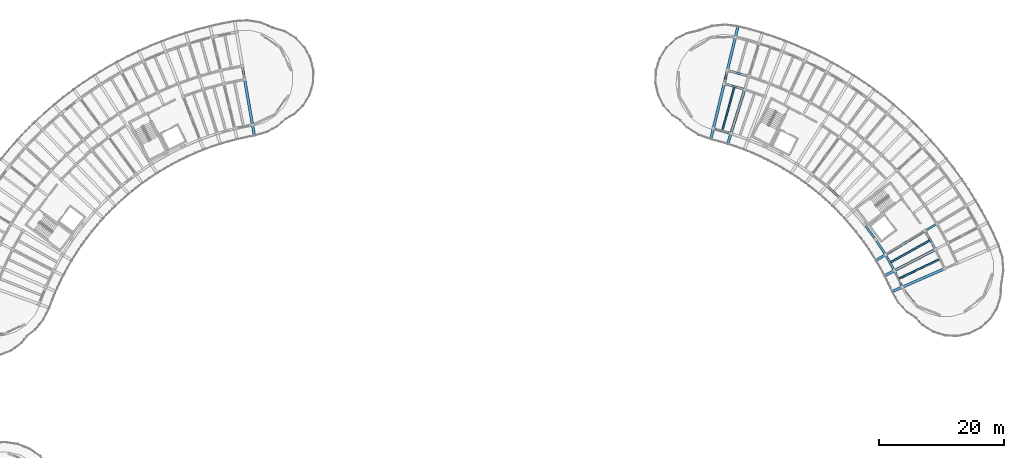
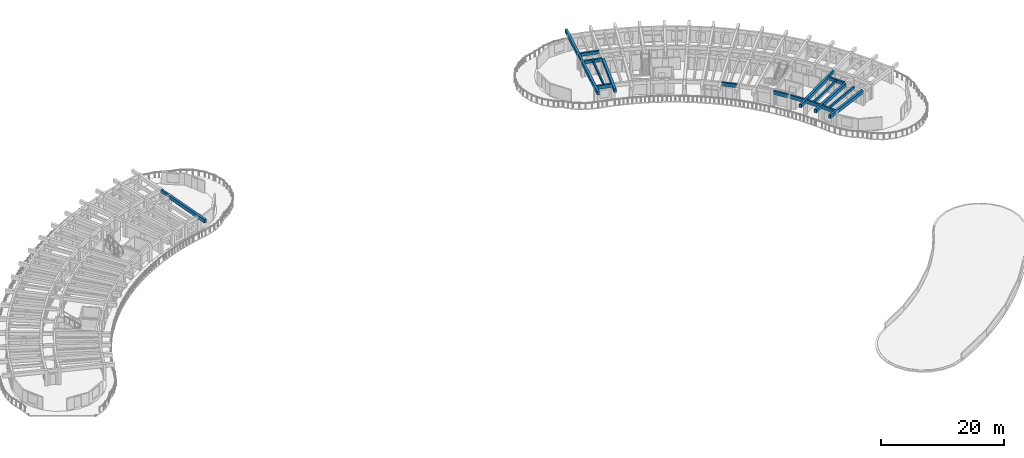
# One storey, part 19 of 62: 22 beams.
"""IFC4 building model written with IfcOpenShell, lengths in metres."""

from ifc_helpers import new_model, si_unit, direction, frame, origin, origin_2d, place, context, subcontext, project, spatial, rectangle, extrude, material, material_profile, profile_set, type_object, element, save


model = new_model("IFC4")

# Units and contexts
model_context = context("Model", 3, precision=1e-05, world=origin(), true_north=direction((0.0, 1.0)))
body_context = subcontext(model_context, "Body", "Model", "MODEL_VIEW")
ifc_project = project(units=[si_unit("LENGTHUNIT", "METRE"), si_unit("AREAUNIT", "SQUARE_METRE"), si_unit("VOLUMEUNIT", "CUBIC_METRE"), si_unit("PLANEANGLEUNIT", "RADIAN"), si_unit("MASSUNIT", "GRAM", prefix="KILO")], contexts=[model_context])

# Site, building, storey
site_placement = place(None, origin())
site = spatial("IfcSite", under=ifc_project, at=site_placement, CompositionType="ELEMENT")
building_placement = place(site_placement, origin())
building = spatial("IfcBuilding", under=site, at=building_placement, Name="Tanwirah Colonnade Gardens", CompositionType="ELEMENT")
storey_placement = place(building_placement, frame((0.0, 0.0, 32.360107421875)))
storey = spatial("IfcBuildingStorey", under=building, at=storey_placement, Name="L09", CompositionType="ELEMENT", Elevation=32.360107421875)

# Beams
ifc_material_1 = material(Name="Precast concrete C40/50", Category="concrete")
ifc_material_profile_1 = material_profile(ifc_material_1, rectangle(XDim=0.320068359375, YDim=0.52001953125, at=origin_2d()), Name="PC-BM 320x520")
ifc_profile_set_1 = profile_set([ifc_material_profile_1], Name="Precast concrete C40/50")
beam_type_1 = type_object("IfcBeamType", Name="BM-PC320", PredefinedType="BEAM", material=ifc_profile_set_1)
beam_1_placement = place(storey_placement, frame((165.520751953125, 87.068359375, 2.85498046875), z_axis=(0.856174920318, 0.516686080534, 0.0), x_axis=(-0.516686080534, 0.856174920318, 0.0)))
element("IfcBeam", 1, at=beam_1_placement, inside=storey, type_object=beam_type_1, Name="Block B L09 Corridor Tie Beam 4", PredefinedType="BEAM", context=body_context, shape_type="SweptSolid", body=[
    extrude(rectangle(XDim=0.320068359375, YDim=0.52001953125, at=origin_2d()), origin(), (0.0, 0.0, 1.0), 1.89990234375),
])
beam_2_placement = place(storey_placement, frame((133.188232421875, 110.75146484375, 2.85498046875), z_axis=(0.234364199778, 0.972148868159, 0.0), x_axis=(-0.972148868159, 0.234364199778, 0.0)))
element("IfcBeam", 2, at=beam_2_placement, inside=storey, type_object=beam_type_1, Name="Block B L09 Corridor Tie Beam 16", PredefinedType="BEAM", context=body_context, shape_type="SweptSolid", body=[
    extrude(rectangle(XDim=0.320068359375, YDim=0.52001953125, at=origin_2d()), origin(), (0.0, 0.0, 1.0), 1.900146484375),
])
ifc_material_profile_2 = material_profile(ifc_material_1, rectangle(XDim=0.35009765625, YDim=0.550048828125, at=origin_2d()), Name="PC-BM 350x550")
ifc_profile_set_2 = profile_set([ifc_material_profile_2], Name="Precast concrete C40/50")
beam_type_2 = type_object("IfcBeamType", Name="BM-PC350A", PredefinedType="BEAM", material=ifc_profile_set_2)
beam_3_placement = place(storey_placement, frame((56.1689453125, 111.444580078125, 2.83984375), z_axis=(-0.169855285462, 0.985469016256, 0.0), x_axis=(-0.985469016256, -0.169855285462, 0.0)))
element("IfcBeam", 3, at=beam_3_placement, inside=storey, type_object=beam_type_2, Name="Block A L09 Corridor Tie Beam 1", PredefinedType="BEAM", context=body_context, shape_type="SweptSolid", body=[
    extrude(rectangle(XDim=0.35009765625, YDim=0.550048828125, at=origin_2d()), origin(), (0.0, 0.0, 1.0), 1.900146484375),
])
ifc_material_profile_3 = material_profile(ifc_material_1, rectangle(XDim=0.35009765625, YDim=0.60009765625, at=origin_2d()), Name="PC-BM 350x600")
ifc_profile_set_3 = profile_set([ifc_material_profile_3], Name="Precast concrete C40/50")
beam_type_3 = type_object("IfcBeamType", Name="BM-PC350B", PredefinedType="BEAM", material=ifc_profile_set_3)
for number, where, z_axis, x_axis, name in (
    (4, (166.98779296875, 84.138671875, 2.81494140625), (-0.488200372352, 0.872731571811, 0.0), (-0.872731571811, -0.488200372352, 0.0), "Block B L09 Circumferential Beam 3-R1"),
    (5, (136.302978515625, 109.7353515625, 2.81494140625), (-0.963889412906, 0.266302834548, 0.0), (-0.266302834548, -0.963889412906, 0.0), "Block B L09 Circumferential Beam 15-R1"),
):
    element("IfcBeam", number, at=place(storey_placement, frame(where, z_axis=z_axis, x_axis=x_axis)), inside=storey, type_object=beam_type_3, Name=name, PredefinedType="BEAM", context=body_context, shape_type="SweptSolid", body=[
        extrude(rectangle(XDim=0.35009765625, YDim=0.60009765625, at=origin_2d()), origin(), (0.0, 0.0, 1.0), 3.117919921875),
    ])
beam_4_placement = place(storey_placement, frame((136.95849609375, 111.83544921875, 2.81494140625), z_axis=(-0.9638953302, 0.266281415833, 0.0), x_axis=(-0.266281415833, -0.9638953302, 0.0)))
element("IfcBeam", 6, at=beam_4_placement, inside=storey, type_object=beam_type_3, Name="Block B L09 Circumferential Beam 15-R2", PredefinedType="BEAM", context=body_context, shape_type="SweptSolid", body=[
    extrude(rectangle(XDim=0.35009765625, YDim=0.60009765625, at=origin_2d()), origin(), (0.0, 0.0, 1.0), 3.26318359375),
])
ifc_material_2 = material(Name="Precast concrete C45/55", Category="concrete")
ifc_material_profile_4 = material_profile(ifc_material_2, rectangle(XDim=0.419921875, YDim=0.679931640625, at=origin_2d()), Name="PC-BM 420x680")
ifc_profile_set_4 = profile_set([ifc_material_profile_4], Name="Precast concrete C45/55")
beam_type_4 = type_object("IfcBeamType", Name="BM-PC420", PredefinedType="BEAM", material=ifc_profile_set_4)
beam_5_placement = place(storey_placement, frame((56.219970703125, 111.14892578125, 2.77490234375), z_axis=(0.169837490725, -0.985472083189, 0.0), x_axis=(0.985472083189, 0.169837490725, 0.0)))
element("IfcBeam", 7, at=beam_5_placement, inside=storey, type_object=beam_type_4, Name="Block A L09 Inner Radial Precast Girder 1", PredefinedType="BEAM", context=body_context, shape_type="SweptSolid", body=[
    extrude(rectangle(XDim=0.419921875, YDim=0.679931640625, at=origin_2d()), origin(), (0.0, 0.0, 1.0), 8.949951171875),
])
beam_6_placement = place(storey_placement, frame((168.39208984375, 80.861328125, 2.77490234375), z_axis=(-0.916669317869, -0.399646545934, 0.0), x_axis=(0.399646545934, -0.916669317869, 0.0)))
element("IfcBeam", 8, at=beam_6_placement, inside=storey, type_object=beam_type_4, Name="Block B L09 Inner Radial Precast Girder 2", PredefinedType="BEAM", context=body_context, shape_type="SweptSolid", body=[
    extrude(rectangle(XDim=0.419921875, YDim=0.679931640625, at=origin_2d()), origin(), (0.0, 0.0, 1.0), 8.9501953125),
])
beam_7_placement = place(storey_placement, frame((166.927734375, 83.93896484375, 2.77490234375), z_axis=(-0.888345427876, -0.459175784175, 0.0), x_axis=(0.459175784175, -0.888345427876, 0.0)))
element("IfcBeam", 9, at=beam_7_placement, inside=storey, type_object=beam_type_4, Name="Block B L09 Inner Radial Precast Girder 3", PredefinedType="BEAM", context=body_context, shape_type="SweptSolid", body=[
    extrude(rectangle(XDim=0.419921875, YDim=0.679931640625, at=origin_2d()), origin(), (0.0, 0.0, 1.0), 8.949951171875),
])
for number, where, z_axis, x_axis, name in (
    (10, (165.263916015625, 86.913330078125, 2.77490234375), (-0.856168728297, -0.516696340887, 0.0), (0.516696340887, -0.856168728297, 0.0), "Block B L09 Inner Radial Precast Girder 4"),
    (11, (136.403076171875, 109.55224609375, 2.77490234375), (-0.29792861283, -0.9545881529, 0.0), (0.9545881529, -0.29792861283, 0.0), "Block B L09 Inner Radial Precast Girder 15"),
):
    element("IfcBeam", number, at=place(storey_placement, frame(where, z_axis=z_axis, x_axis=x_axis)), inside=storey, type_object=beam_type_4, Name=name, PredefinedType="BEAM", context=body_context, shape_type="SweptSolid", body=[
        extrude(rectangle(XDim=0.419921875, YDim=0.679931640625, at=origin_2d()), origin(), (0.0, 0.0, 1.0), 8.9501953125),
    ])
beam_8_placement = place(storey_placement, frame((133.117919921875, 110.459716796875, 2.77490234375), z_axis=(-0.234401428133, -0.972139892448, 0.0), x_axis=(0.972139892448, -0.234401428133, 0.0)))
element("IfcBeam", 12, at=beam_8_placement, inside=storey, type_object=beam_type_4, Name="Block B L09 Inner Radial Precast Girder 16", PredefinedType="BEAM", context=body_context, shape_type="SweptSolid", body=[
    extrude(rectangle(XDim=0.419921875, YDim=0.679931640625, at=origin_2d()), origin(), (0.0, 0.0, 1.0), 8.949951171875),
])
beam_9_placement = place(storey_placement, frame((133.703857421875, 112.89013671875, 2.77490234375), z_axis=(0.234378734126, 0.972145364125, 0.0), x_axis=(-0.972145364125, 0.234378734126, 0.0)))
element("IfcBeam", 13, at=beam_9_placement, inside=storey, type_object=beam_type_4, Name="Block B L09 Outer Radial Precast Girder 16", PredefinedType="BEAM", context=body_context, shape_type="SweptSolid", body=[
    extrude(rectangle(XDim=0.419921875, YDim=0.679931640625, at=origin_2d()), origin(), (0.0, 0.0, 1.0), 7.0498046875),
])
ifc_material_profile_5 = material_profile(ifc_material_1, rectangle(XDim=0.260009765625, YDim=0.4599609375, at=origin_2d()), Name="PC-JST 260x460")
ifc_profile_set_5 = profile_set([ifc_material_profile_5], Name="Precast concrete C40/50")
beam_type_5 = type_object("IfcBeamType", Name="JST-PC260", PredefinedType="JOIST", material=ifc_profile_set_5)
for number, where, z_axis, x_axis, name in (
    (14, (161.246826171875, 79.348876953125, 2.885009765625), (0.903005429363, 0.429629136048, 0.0), (-0.429629136048, 0.903005429363, 0.0), "Block B L09 Inner Precast Floor Joist 2"),
    (15, (159.897705078125, 81.958984375, 2.885009765625), (0.872726875563, 0.488208767506, 0.0), (-0.488208767506, 0.872726875563, 0.0), "Block B L09 Inner Precast Floor Joist 3"),
):
    element("IfcBeam", number, at=place(storey_placement, frame(where, z_axis=z_axis, x_axis=x_axis)), inside=storey, type_object=beam_type_5, Name=name, PredefinedType="JOIST", context=body_context, shape_type="SweptSolid", body=[
        extrude(rectangle(XDim=0.260009765625, YDim=0.4599609375, at=origin_2d()), origin(), (0.0, 0.0, 1.0), 7.16015625),
    ])
beam_10_placement = place(storey_placement, frame((132.869140625, 103.16064453125, 2.885009765625), z_axis=(0.266307034535, 0.963888252526, 0.0), x_axis=(-0.963888252526, 0.266307034535, 0.0)))
element("IfcBeam", 16, at=beam_10_placement, inside=storey, type_object=beam_type_5, Name="Block B L09 Inner Precast Floor Joist 15", PredefinedType="JOIST", context=body_context, shape_type="SweptSolid", body=[
    extrude(rectangle(XDim=0.260009765625, YDim=0.4599609375, at=origin_2d()), origin(), (0.0, 0.0, 1.0), 7.159912109375),
])
ifc_material_profile_6 = material_profile(ifc_material_1, rectangle(XDim=0.3349609375, YDim=0.695068359375, at=origin_2d()), Name="PC-SP 335x695")
ifc_profile_set_6 = profile_set([ifc_material_profile_6], Name="Precast concrete C40/50")
beam_type_6 = type_object("IfcBeamType", Name="SP-PC300", PredefinedType="SPANDREL", material=ifc_profile_set_6)
beam_11_placement = place(storey_placement, frame((161.681640625, 78.099365234375, 2.767333984375), z_axis=(-0.42964173036, 0.902999437172, 0.0), x_axis=(-0.902999437172, -0.42964173036, 0.0)))
element("IfcBeam", 17, at=beam_11_placement, inside=storey, type_object=beam_type_6, Name="Block B L09 Circumferential Beam 2-R0", PredefinedType="SPANDREL", context=body_context, shape_type="SweptSolid", body=[
    extrude(rectangle(XDim=0.3349609375, YDim=0.695068359375, at=origin_2d()), origin(), (0.0, 0.0, 1.0), 2.63037109375),
])
beam_12_placement = place(storey_placement, frame((160.413818359375, 80.740966796875, 2.767333984375), z_axis=(-0.488170837957, 0.872748092503, 0.0), x_axis=(-0.872748092503, -0.488170837957, 0.0)))
element("IfcBeam", 18, at=beam_12_placement, inside=storey, type_object=beam_type_6, Name="Block B L09 Circumferential Beam 3-R0", PredefinedType="SPANDREL", context=body_context, shape_type="SweptSolid", body=[
    extrude(rectangle(XDim=0.3349609375, YDim=0.695068359375, at=origin_2d()), origin(), (0.0, 0.0, 1.0), 2.630126953125),
])
for number, where, z_axis, x_axis, name in (
    (19, (158.974853515625, 83.29296875, 2.767333984375), (-0.544570677829, 0.838714955661, 0.0), (-0.838714955661, -0.544570677829, 0.0), "Block B L09 Circumferential Beam 4-R0"),
    (20, (157.370849609375, 85.744873046875, 2.767333984375), (-0.598662613551, 0.80100129534, 0.0), (-0.80100129534, -0.598662613551, 0.0), "Block B L09 Circumferential Beam 5-R0"),
    (21, (151.6416015625, 92.394287109375, 2.767333984375), (-0.744400790288, 0.667733077972, 0.0), (-0.667733077972, -0.744400790288, 0.0), "Block B L09 Circumferential Beam 8-R0"),
):
    element("IfcBeam", number, at=place(storey_placement, frame(where, z_axis=z_axis, x_axis=x_axis)), inside=storey, type_object=beam_type_6, Name=name, PredefinedType="SPANDREL", context=body_context, shape_type="SweptSolid", body=[
        extrude(rectangle(XDim=0.3349609375, YDim=0.695068359375, at=origin_2d()), origin(), (0.0, 0.0, 1.0), 2.63037109375),
    ])
beam_13_placement = place(storey_placement, frame((134.098388671875, 102.67138671875, 2.767333984375), z_axis=(-0.96388669146, 0.266312684688, 0.0), x_axis=(-0.266312684688, -0.96388669146, 0.0)))
element("IfcBeam", 22, at=beam_13_placement, inside=storey, type_object=beam_type_6, Name="Block B L09 Circumferential Beam 15-R0", PredefinedType="SPANDREL", context=body_context, shape_type="SweptSolid", body=[
    extrude(rectangle(XDim=0.3349609375, YDim=0.695068359375, at=origin_2d()), origin(), (0.0, 0.0, 1.0), 2.630126953125),
])

save(model, "model.ifc")
